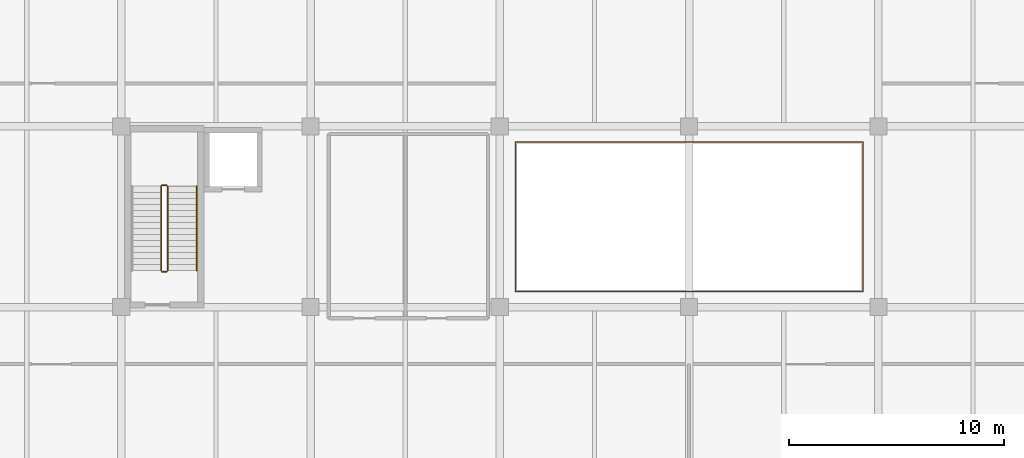
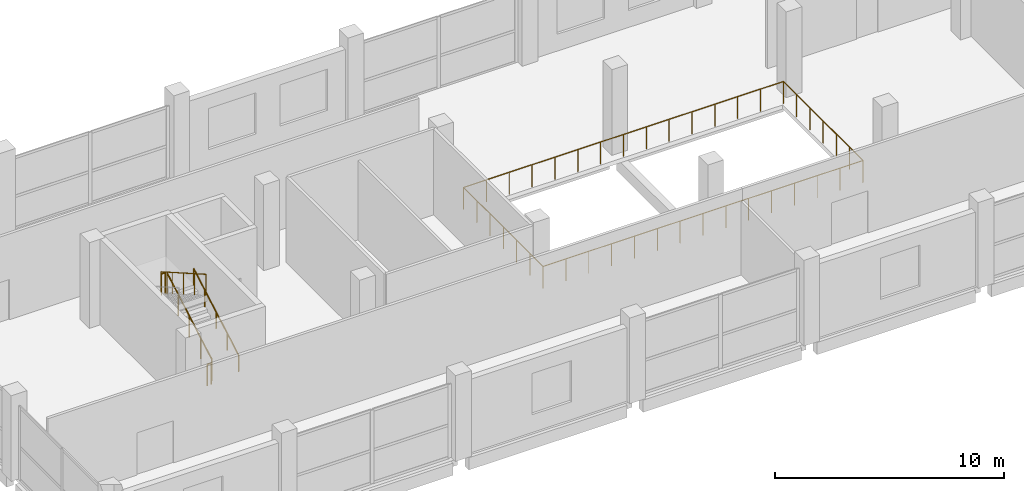
# One storey, part 28 of 31: 6 railings.
"""IFC4 building model written with IfcOpenShell, lengths in metres."""

import ifcopenshell
import ifcopenshell.guid

model = None  # the IFC model being written
_history = None  # IfcOwnerHistory: only IFC2X3 demands one
_inside = {}  # id of a spatial element -> (the spatial element, [elements in it])
_under = {}  # id of a project, library or spatial element -> (it, [spatial elements below it])
_declared = {}  # id of a project -> (the project, [libraries it declares])
_typed = {}  # id of a type object -> (the type object, [elements of that type])
_made_of = {}  # id of a material, layer set ... -> (it, [elements and type objects made of it])


def new_model(schema):
    """Start an empty IFC model of exactly this schema.

    Asked for "IFC4X3", IfcOpenShell would pick the latest addendum, in which some entities
    have other attributes; the version numbers below select the first issue.
    IFC2X3 requires an IfcOwnerHistory on every rooted entity: one is made here for all.
    """
    global model, _history
    if schema == "IFC4X3":
        model = ifcopenshell.file(schema_version=(4, 3, 0, 0))
    else:
        model = ifcopenshell.file(schema=schema)
    _inside.clear()
    _under.clear()
    _declared.clear()
    _typed.clear()
    _made_of.clear()
    _history = None
    if model.schema == "IFC2X3":
        org = make("IfcOrganization", Name="unknown")
        user = make(
            "IfcPersonAndOrganization",
            ThePerson=make("IfcPerson", FamilyName="unknown"),
            TheOrganization=org,
        )
        app = make(
            "IfcApplication",
            ApplicationDeveloper=org,
            Version="unknown",
            ApplicationFullName="unknown",
            ApplicationIdentifier="unknown",
        )
        _history = make(
            "IfcOwnerHistory",
            OwningUser=user,
            OwningApplication=app,
            ChangeAction="ADDED",
            CreationDate=0,
        )
    return model


def make(cls, **values):
    """One entity of the class cls with the attributes given. An attribute that is None is left unset."""
    return model.create_entity(
        cls, **{name: value for name, value in values.items() if value is not None}
    )


def rooted(cls, **values):
    """An entity with a GlobalId (a new one), such as an element, a storey or a relation."""
    return make(cls, GlobalId=ifcopenshell.guid.new(), OwnerHistory=_history, **values)


def si_unit(unit_type, name, prefix=None):
    """IfcSIUnit, for example si_unit("LENGTHUNIT", "METRE", prefix="MILLI")."""
    return make("IfcSIUnit", UnitType=unit_type, Prefix=prefix, Name=name)


def assignment(units):
    """IfcUnitAssignment: the units of a project."""
    return None if units is None else make("IfcUnitAssignment", Units=units)


def point(xyz):
    """IfcCartesianPoint."""
    return None if xyz is None else make("IfcCartesianPoint", Coordinates=xyz)


def direction(xyz):
    """IfcDirection."""
    return None if xyz is None else make("IfcDirection", DirectionRatios=xyz)


def frame(location, z_axis=None, x_axis=None):
    """IfcAxis2Placement3D, a coordinate frame: its origin and axes. An axis left out is left unset."""
    return make(
        "IfcAxis2Placement3D",
        Location=point(location),
        Axis=direction(z_axis),
        RefDirection=direction(x_axis),
    )


def frame_2d(location, x_axis=None):
    """IfcAxis2Placement2D, a coordinate frame in the plane: its origin and x axis."""
    return make(
        "IfcAxis2Placement2D", Location=point(location), RefDirection=direction(x_axis)
    )


def origin():
    """The frame at (0, 0, 0) with its axes left unset."""
    return frame((0.0, 0.0, 0.0))


def origin_2d():
    """The frame at (0, 0) in the plane with its x axis left unset."""
    return frame_2d((0.0, 0.0))


def place(relative_to, where):
    """IfcLocalPlacement: puts the frame where relative to a parent placement (None: the world)."""
    return make(
        "IfcLocalPlacement", PlacementRelTo=relative_to, RelativePlacement=where
    )


def context(
    kind, dimensions, precision=None, world=None, true_north=None, identifier=None
):
    """IfcGeometricRepresentationContext, for example the 3D "Model" context."""
    return make(
        "IfcGeometricRepresentationContext",
        ContextIdentifier=identifier,
        ContextType=kind,
        CoordinateSpaceDimension=dimensions,
        Precision=precision,
        WorldCoordinateSystem=world,
        TrueNorth=true_north,
    )


def subcontext(parent, identifier, kind, view, scale=None):
    """IfcGeometricRepresentationSubContext, for example "Body" below "Model"."""
    return make(
        "IfcGeometricRepresentationSubContext",
        ContextIdentifier=identifier,
        ContextType=kind,
        ParentContext=parent,
        TargetScale=scale,
        TargetView=view,
    )


def project(units=None, contexts=None):
    """IfcProject with its units and contexts."""
    return rooted(
        "IfcProject",
        Name="project",
        RepresentationContexts=contexts,
        UnitsInContext=assignment(units),
    )


def spatial(cls, under=None, at=None, **own):
    """A site, building, storey or space (cls), placed at a placement, below another one or the project."""
    s = rooted(cls, ObjectPlacement=at, **own)
    if under is not None:
        _under.setdefault(under.id(), (under, []))[1].append(s)
    return s


def profile(cls, at=None, kind="AREA", **sizes):
    """A parametric profile (cls). Its sizes go by their IFC names, for example OverallWidth=200.0."""
    return make(cls, ProfileType=kind, Position=at, **sizes)


def circle(**sizes):
    """IfcCircleProfileDef."""
    return profile("IfcCircleProfileDef", **sizes)


def extrude(swept, where, along, depth):
    """IfcExtrudedAreaSolid: the profile swept, set in the frame where, extruded along a direction by depth."""
    return make(
        "IfcExtrudedAreaSolid",
        SweptArea=swept,
        Position=where,
        ExtrudedDirection=direction(along),
        Depth=depth,
    )


def shape(context_of_items, identifier, shape_type, items):
    """IfcShapeRepresentation: the items that make up one representation, for example the "Body"."""
    return make(
        "IfcShapeRepresentation",
        ContextOfItems=context_of_items,
        RepresentationIdentifier=identifier,
        RepresentationType=shape_type,
        Items=items,
    )


def material(Name=None, Category=None):
    """IfcMaterial."""
    return make("IfcMaterial", Name=Name, Category=Category)


def made_of(thing, what):
    """Note that an element or type object is made of a material, layer set ...; save() writes the relation."""
    if what is not None:
        _made_of.setdefault(what.id(), (what, []))[1].append(thing)
    return thing


def type_object(cls, material=None, **own):
    """A type object (cls), such as IfcWallType, which elements share."""
    return made_of(rooted(cls, **own), material)


def element(
    cls,
    number,
    at=None,
    inside=None,
    cuts=None,
    type_object=None,
    material=None,
    context=None,
    identifier="Body",
    shape_type=None,
    held_by="IfcProductDefinitionShape",
    body=None,
    shapes=None,
    **own,
):
    """One element of the class cls, such as IfcWall. Its Tag is "e" and its number.

    at: its placement. inside: the storey or other place that contains it. cuts: it is an
    opening in that element (IfcRelVoidsElement). A single representation is given by context,
    identifier, shape_type and body (its items); several are given by shapes. held_by: the class
    of the entity that holds the representations. save() writes the other relations.
    """
    e = rooted(cls, Tag="e%d" % number, ObjectPlacement=at, **own)
    if body is not None:
        shapes = [shape(context, identifier, shape_type, body)]
    if shapes is not None:
        e.Representation = make(held_by, Representations=shapes)
    if inside is not None:
        _inside.setdefault(inside.id(), (inside, []))[1].append(e)
    if cuts is not None:
        rooted(
            "IfcRelVoidsElement", RelatingBuildingElement=cuts, RelatedOpeningElement=e
        )
    if type_object is not None:
        _typed.setdefault(type_object.id(), (type_object, []))[1].append(e)
    return made_of(e, material)


def aggregate(whole, parts):
    """IfcRelAggregates: a whole, such as a stair, and the parts it consists of."""
    return rooted("IfcRelAggregates", RelatingObject=whole, RelatedObjects=parts)


def save(model, path):
    """Write the relations noted so far, then the file.

    IfcRelAggregates (storeys below a building ...), IfcRelContainedInSpatialStructure (elements
    in a storey), IfcRelDefinesByType, IfcRelAssociatesMaterial and IfcRelDeclares: one each for
    every whole, place, type object, material and project.
    """
    for whole, parts in _under.values():
        aggregate(whole, parts)
    for where, things in _inside.values():
        rooted(
            "IfcRelContainedInSpatialStructure",
            RelatedElements=things,
            RelatingStructure=where,
        )
    for kind, things in _typed.values():
        rooted("IfcRelDefinesByType", RelatedObjects=things, RelatingType=kind)
    for what, things in _made_of.values():
        rooted("IfcRelAssociatesMaterial", RelatedObjects=things, RelatingMaterial=what)
    for by, libraries in _declared.values():
        rooted("IfcRelDeclares", RelatingContext=by, RelatedDefinitions=libraries)
    model.write(path)


model = new_model("IFC4")

# Units and contexts
model_context = context("Model", 3, precision=1e-05, world=origin(), true_north=direction((0.0, 1.0)))
body_context = subcontext(model_context, "Body", "Model", "MODEL_VIEW")
ifc_project = project(units=[si_unit("LENGTHUNIT", "METRE"), si_unit("AREAUNIT", "SQUARE_METRE"), si_unit("VOLUMEUNIT", "CUBIC_METRE"), si_unit("PLANEANGLEUNIT", "RADIAN"), si_unit("MASSUNIT", "GRAM", prefix="KILO")], contexts=[model_context])

# Site, building, storey
site_placement = place(None, origin())
site = spatial("IfcSite", under=ifc_project, at=site_placement, CompositionType="ELEMENT")
building_placement = place(site_placement, origin())
building = spatial("IfcBuilding", under=site, at=building_placement, Name="Brinegate Botanical Conservatory", CompositionType="ELEMENT")
storey_placement = place(building_placement, frame((0.0, 0.0, 5.39990234375)))
storey = spatial("IfcBuildingStorey", under=building, at=storey_placement, Name="L02", CompositionType="ELEMENT", Elevation=5.39990234375)

# Railings
ifc_material_1 = material(Name="Structural steel Q355B / S355 and laminated glass balustrade", Category="steel")
railing_type_1 = type_object("IfcRailingType", Name="Rail_INT-BAL", PredefinedType="BALUSTRADE", material=ifc_material_1)
railing_1_placement = place(storey_placement, frame((77.919921875, 95.919921875, 0.0)))
element("IfcRailing", 1, at=railing_1_placement, inside=storey, type_object=railing_type_1, Name="Visitor Wing skylit atrium balustrade L02", PredefinedType="BALUSTRADE", context=body_context, shape_type="SweptSolid", body=[
    extrude(circle(Radius=0.02392578125, at=origin_2d()), frame((0.0, 0.0, 1.17578125), z_axis=(1.0, 0.0, 0.0), x_axis=(0.0, 1.0, 0.0)), (0.0, 0.0, 1.0), 16.16015625),
    extrude(circle(Radius=0.02392578125, at=origin_2d()), frame((16.16015625, 0.0, 1.17578125), z_axis=(0.0, 1.0, 0.0), x_axis=(-1.0, 0.0, 0.0)), (0.0, 0.0, 1.0), 6.9599609375),
    extrude(circle(Radius=0.02392578125, at=origin_2d()), frame((16.16015625, 6.9599609375, 1.17578125), z_axis=(-1.0, 0.0, 0.0), x_axis=(0.0, -1.0, 0.0)), (0.0, 0.0, 1.0), 16.16015625),
    extrude(circle(Radius=0.02392578125, at=origin_2d()), frame((0.0, 6.9599609375, 1.17578125), z_axis=(0.0, -1.0, 0.0), x_axis=(1.0, 0.0, 0.0)), (0.0, 0.0, 1.0), 6.9599609375),
    extrude(circle(Radius=0.02099609375, at=origin_2d()), origin(), (0.0, 0.0, 1.0), 1.15185546875),
    extrude(circle(Radius=0.02099609375, at=origin_2d()), frame((1.154296875, 0.0, 0.0)), (0.0, 0.0, 1.0), 1.15185546875),
    extrude(circle(Radius=0.02099609375, at=origin_2d()), frame((2.30859375, 0.0, 0.0)), (0.0, 0.0, 1.0), 1.15185546875),
    extrude(circle(Radius=0.02099609375, at=origin_2d()), frame((3.462890625, 0.0, 0.0)), (0.0, 0.0, 1.0), 1.15185546875),
    extrude(circle(Radius=0.02099609375, at=origin_2d()), frame((4.6171875, 0.0, 0.0)), (0.0, 0.0, 1.0), 1.15185546875),
    extrude(circle(Radius=0.02099609375, at=origin_2d()), frame((5.771484375, 0.0, 0.0)), (0.0, 0.0, 1.0), 1.15185546875),
    extrude(circle(Radius=0.02099609375, at=origin_2d()), frame((6.92578125, 0.0, 0.0)), (0.0, 0.0, 1.0), 1.15185546875),
    extrude(circle(Radius=0.02099609375, at=origin_2d()), frame((8.080078125, 0.0, 0.0)), (0.0, 0.0, 1.0), 1.15185546875),
    extrude(circle(Radius=0.02099609375, at=origin_2d()), frame((9.234375, 0.0, 0.0)), (0.0, 0.0, 1.0), 1.15185546875),
    extrude(circle(Radius=0.02099609375, at=origin_2d()), frame((10.388671875, 0.0, 0.0)), (0.0, 0.0, 1.0), 1.15185546875),
    extrude(circle(Radius=0.02099609375, at=origin_2d()), frame((11.54296875, 0.0, 0.0)), (0.0, 0.0, 1.0), 1.15185546875),
    extrude(circle(Radius=0.02099609375, at=origin_2d()), frame((12.697265625, 0.0, 0.0)), (0.0, 0.0, 1.0), 1.15185546875),
    extrude(circle(Radius=0.02099609375, at=origin_2d()), frame((13.8515625, 0.0, 0.0)), (0.0, 0.0, 1.0), 1.15185546875),
    extrude(circle(Radius=0.02099609375, at=origin_2d()), frame((15.005859375, 0.0, 0.0)), (0.0, 0.0, 1.0), 1.15185546875),
    extrude(circle(Radius=0.02099609375, at=origin_2d()), frame((16.16015625, 0.0, 0.0)), (0.0, 0.0, 1.0), 1.15185546875),
    extrude(circle(Radius=0.02099609375, at=origin_2d()), frame((16.16015625, 1.159912109375, 0.0)), (0.0, 0.0, 1.0), 1.15185546875),
    extrude(circle(Radius=0.02099609375, at=origin_2d()), frame((16.16015625, 2.320068359375, 0.0)), (0.0, 0.0, 1.0), 1.15185546875),
    extrude(circle(Radius=0.02099609375, at=origin_2d()), frame((16.16015625, 3.47998046875, 0.0)), (0.0, 0.0, 1.0), 1.15185546875),
    extrude(circle(Radius=0.02099609375, at=origin_2d()), frame((16.16015625, 4.639892578125, 0.0)), (0.0, 0.0, 1.0), 1.15185546875),
    extrude(circle(Radius=0.02099609375, at=origin_2d()), frame((16.16015625, 5.800048828125, 0.0)), (0.0, 0.0, 1.0), 1.15185546875),
    extrude(circle(Radius=0.02099609375, at=origin_2d()), frame((16.16015625, 6.9599609375, 0.0)), (0.0, 0.0, 1.0), 1.15185546875),
    extrude(circle(Radius=0.02099609375, at=origin_2d()), frame((15.005859375, 6.9599609375, 0.0)), (0.0, 0.0, 1.0), 1.15185546875),
    extrude(circle(Radius=0.02099609375, at=origin_2d()), frame((13.8515625, 6.9599609375, 0.0)), (0.0, 0.0, 1.0), 1.15185546875),
    extrude(circle(Radius=0.02099609375, at=origin_2d()), frame((12.697265625, 6.9599609375, 0.0)), (0.0, 0.0, 1.0), 1.15185546875),
    extrude(circle(Radius=0.02099609375, at=origin_2d()), frame((11.54296875, 6.9599609375, 0.0)), (0.0, 0.0, 1.0), 1.15185546875),
    extrude(circle(Radius=0.02099609375, at=origin_2d()), frame((10.388671875, 6.9599609375, 0.0)), (0.0, 0.0, 1.0), 1.15185546875),
    extrude(circle(Radius=0.02099609375, at=origin_2d()), frame((9.234375, 6.9599609375, 0.0)), (0.0, 0.0, 1.0), 1.15185546875),
    extrude(circle(Radius=0.02099609375, at=origin_2d()), frame((8.080078125, 6.9599609375, 0.0)), (0.0, 0.0, 1.0), 1.15185546875),
    extrude(circle(Radius=0.02099609375, at=origin_2d()), frame((6.92578125, 6.9599609375, 0.0)), (0.0, 0.0, 1.0), 1.15185546875),
    extrude(circle(Radius=0.02099609375, at=origin_2d()), frame((5.771484375, 6.9599609375, 0.0)), (0.0, 0.0, 1.0), 1.15185546875),
    extrude(circle(Radius=0.02099609375, at=origin_2d()), frame((4.6171875, 6.9599609375, 0.0)), (0.0, 0.0, 1.0), 1.15185546875),
    extrude(circle(Radius=0.02099609375, at=origin_2d()), frame((3.462890625, 6.9599609375, 0.0)), (0.0, 0.0, 1.0), 1.15185546875),
    extrude(circle(Radius=0.02099609375, at=origin_2d()), frame((2.30859375, 6.9599609375, 0.0)), (0.0, 0.0, 1.0), 1.15185546875),
    extrude(circle(Radius=0.02099609375, at=origin_2d()), frame((1.154296875, 6.9599609375, 0.0)), (0.0, 0.0, 1.0), 1.15185546875),
    extrude(circle(Radius=0.02099609375, at=origin_2d()), frame((0.0, 6.9599609375, 0.0)), (0.0, 0.0, 1.0), 1.15185546875),
    extrude(circle(Radius=0.02099609375, at=origin_2d()), frame((0.0, 5.800048828125, 0.0)), (0.0, 0.0, 1.0), 1.15185546875),
    extrude(circle(Radius=0.02099609375, at=origin_2d()), frame((0.0, 4.639892578125, 0.0)), (0.0, 0.0, 1.0), 1.15185546875),
    extrude(circle(Radius=0.02099609375, at=origin_2d()), frame((0.0, 3.47998046875, 0.0)), (0.0, 0.0, 1.0), 1.15185546875),
    extrude(circle(Radius=0.02099609375, at=origin_2d()), frame((0.0, 2.320068359375, 0.0)), (0.0, 0.0, 1.0), 1.15185546875),
    extrude(circle(Radius=0.02099609375, at=origin_2d()), frame((0.0, 1.159912109375, 0.0)), (0.0, 0.0, 1.0), 1.15185546875),
])
ifc_material_2 = material(Name="Structural steel Q355B / S355 painted tubular guardrail", Category="steel")
railing_type_2 = type_object("IfcRailingType", Name="Rail_ST-GRD", PredefinedType="GUARDRAIL", material=ifc_material_2)
railing_2_placement = place(storey_placement, frame((61.75, 96.89990234375, 0.16015625)))
element("IfcRailing", 2, at=railing_2_placement, inside=storey, type_object=railing_type_2, Name="L02 ST3 stair guard 1", PredefinedType="GUARDRAIL", context=body_context, shape_type="SweptSolid", body=[
    extrude(circle(Radius=0.02392578125, at=origin_2d()), frame((0.0, 0.0, 1.1259765625), z_axis=(0.0, 0.86825312469, 0.496121468458), x_axis=(-1.0, 0.0, 0.0)), (0.0, 0.0, 1.0), 4.514892578125),
    extrude(circle(Radius=0.02099609375, at=origin_2d()), origin(), (0.0, 0.0, 1.0), 1.101806640625),
    extrude(circle(Radius=0.02099609375, at=origin_2d()), frame((0.0, 0.97998046875, 0.56005859375)), (0.0, 0.0, 1.0), 1.101806640625),
    extrude(circle(Radius=0.02099609375, at=origin_2d()), frame((0.0, 1.9599609375, 1.1201171875)), (0.0, 0.0, 1.0), 1.101806640625),
    extrude(circle(Radius=0.02099609375, at=origin_2d()), frame((0.0, 2.940185546875, 1.679931640625)), (0.0, 0.0, 1.0), 1.101806640625),
    extrude(circle(Radius=0.02099609375, at=origin_2d()), frame((0.0, 3.920166015625, 2.239990234375)), (0.0, 0.0, 1.0), 1.101806640625),
])
railing_3_placement = place(storey_placement, frame((61.699951171875, 100.8701171875, 2.400146484375)))
element("IfcRailing", 3, at=railing_3_placement, inside=storey, type_object=railing_type_2, Name="L02 ST3 stair guard 2", PredefinedType="GUARDRAIL", context=body_context, shape_type="SweptSolid", body=[
    extrude(circle(Radius=0.02392578125, at=origin_2d()), frame((0.0, 0.0, 1.1259765625), z_axis=(-1.0, 0.0, 0.0), x_axis=(0.0, -1.0, 0.0)), (0.0, 0.0, 1.0), 0.199951171875),
    extrude(circle(Radius=0.02099609375, at=origin_2d()), origin(), (0.0, 0.0, 1.0), 1.101806640625),
    extrude(circle(Radius=0.02099609375, at=origin_2d()), frame((-0.199951171875, 0.0, 0.0)), (0.0, 0.0, 1.0), 1.101806640625),
])
railing_4_placement = place(storey_placement, frame((61.449951171875, 100.820068359375, 2.56005859375)))
element("IfcRailing", 4, at=railing_4_placement, inside=storey, type_object=railing_type_2, Name="L02 ST3 stair guard 3", PredefinedType="GUARDRAIL", context=body_context, shape_type="SweptSolid", body=[
    extrude(circle(Radius=0.02392578125, at=origin_2d()), frame((0.0, 0.0, 1.1259765625), z_axis=(0.0, -0.86825312469, 0.496121468458), x_axis=(1.0, 0.0, 0.0)), (0.0, 0.0, 1.0), 4.514892578125),
    extrude(circle(Radius=0.02099609375, at=origin_2d()), origin(), (0.0, 0.0, 1.0), 1.101806640625),
    extrude(circle(Radius=0.02099609375, at=origin_2d()), frame((0.0, -0.97998046875, 0.56005859375)), (0.0, 0.0, 1.0), 1.101806640625),
    extrude(circle(Radius=0.02099609375, at=origin_2d()), frame((0.0, -1.9599609375, 1.1201171875)), (0.0, 0.0, 1.0), 1.101806640625),
    extrude(circle(Radius=0.02099609375, at=origin_2d()), frame((0.0, -2.940185546875, 1.679931640625)), (0.0, 0.0, 1.0), 1.101806640625),
    extrude(circle(Radius=0.02099609375, at=origin_2d()), frame((0.0, -3.920166015625, 2.239990234375)), (0.0, 0.0, 1.0), 1.101806640625),
])
railing_5_placement = place(storey_placement, frame((61.699951171875, 96.85009765625, 0.0)))
element("IfcRailing", 5, at=railing_5_placement, inside=storey, type_object=railing_type_2, Name="L02 ST3 stair guard 4", PredefinedType="GUARDRAIL", context=body_context, shape_type="SweptSolid", body=[
    extrude(circle(Radius=0.02392578125, at=origin_2d()), frame((0.0, 0.0, 1.1259765625), z_axis=(-1.0, 0.0, 0.0), x_axis=(0.0, -1.0, 0.0)), (0.0, 0.0, 1.0), 0.199951171875),
    extrude(circle(Radius=0.02099609375, at=origin_2d()), origin(), (0.0, 0.0, 1.0), 1.101806640625),
    extrude(circle(Radius=0.02099609375, at=origin_2d()), frame((-0.199951171875, 0.0, 0.0)), (0.0, 0.0, 1.0), 1.101806640625),
])
ifc_material_3 = material(Name="Brushed stainless steel S355 handrail", Category="steel")
railing_type_3 = type_object("IfcRailingType", Name="Rail_ST-HND", PredefinedType="HANDRAIL", material=ifc_material_3)
railing_6_placement = place(storey_placement, frame((63.10009765625, 96.89990234375, 0.16015625)))
element("IfcRailing", 6, at=railing_6_placement, inside=storey, type_object=railing_type_3, Name="L02 ST3 stair handrail 1", PredefinedType="HANDRAIL", context=body_context, shape_type="SweptSolid", body=[
    extrude(circle(Radius=0.02392578125, at=origin_2d()), frame((0.0, 0.0, 0.8759765625), z_axis=(0.0, 0.86825312469, 0.496121468458), x_axis=(-1.0, 0.0, 0.0)), (0.0, 0.0, 1.0), 4.514892578125),
    extrude(circle(Radius=0.02099609375, at=origin_2d()), origin(), (0.0, 0.0, 1.0), 0.851806640625),
    extrude(circle(Radius=0.02099609375, at=origin_2d()), frame((0.0, 0.97998046875, 0.56005859375)), (0.0, 0.0, 1.0), 0.851806640625),
    extrude(circle(Radius=0.02099609375, at=origin_2d()), frame((0.0, 1.9599609375, 1.1201171875)), (0.0, 0.0, 1.0), 0.851806640625),
    extrude(circle(Radius=0.02099609375, at=origin_2d()), frame((0.0, 2.940185546875, 1.679931640625)), (0.0, 0.0, 1.0), 0.851806640625),
    extrude(circle(Radius=0.02099609375, at=origin_2d()), frame((0.0, 3.920166015625, 2.239990234375)), (0.0, 0.0, 1.0), 0.851806640625),
])

save(model, "model.ifc")
